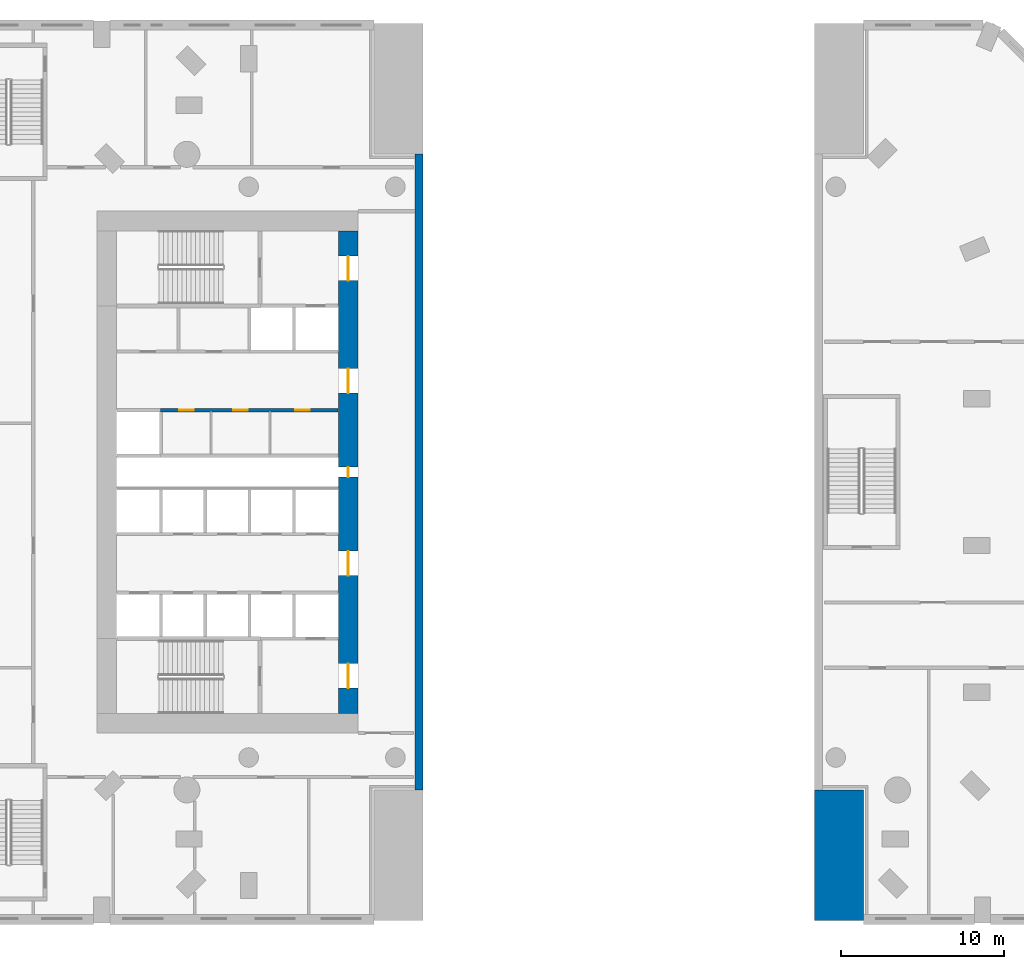
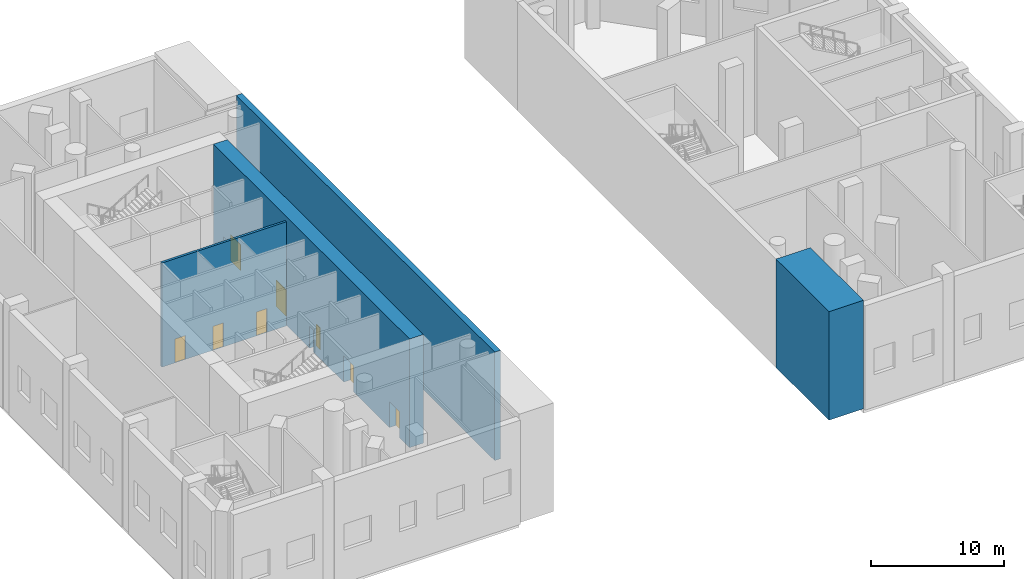
# One storey, part 4 of 17: 8 doors, 4 walls, 8 openings.
"""IFC4 building model written with IfcOpenShell, lengths in metres."""

from ifc_helpers import new_model, si_unit, direction, frame, frame_2d, origin, place, context, subcontext, project, spatial, rectangle, extrude, material, layer, layer_set, type_object, element, fill, save


model = new_model("IFC4")

# Units and contexts
model_context = context("Model", 3, precision=1e-05, world=origin(), true_north=direction((0.0, 1.0)))
body_context = subcontext(model_context, "Body", "Model", "MODEL_VIEW")
ifc_project = project(units=[si_unit("LENGTHUNIT", "METRE"), si_unit("AREAUNIT", "SQUARE_METRE"), si_unit("VOLUMEUNIT", "CUBIC_METRE"), si_unit("PLANEANGLEUNIT", "RADIAN"), si_unit("MASSUNIT", "GRAM", prefix="KILO")], contexts=[model_context])

# Site, building, storey
site_placement = place(None, origin())
site = spatial("IfcSite", under=ifc_project, at=site_placement, CompositionType="ELEMENT")
building_placement = place(site_placement, origin())
building = spatial("IfcBuilding", under=site, at=building_placement, Name="Cypress Arch Tower", CompositionType="ELEMENT")
storey_placement = place(building_placement, frame((0.0, 0.0, 19.0)))
storey = spatial("IfcBuildingStorey", under=building, at=storey_placement, Name="L02", CompositionType="ELEMENT", Elevation=19.0)

# Wall, openings, doors
ifc_material_1 = material(Name="Concrete C80/95", Category="concrete")
ifc_layer_1 = layer(ifc_material_1, 1.199951171875)
ifc_layer_set_1 = layer_set([ifc_layer_1], Name="Core wall CW1200 C80/95")
wall_type_1 = type_object("IfcWallType", Name="Core wall CW1200 C80/95", PredefinedType="SHEAR", material=ifc_layer_set_1)
wall_1_placement = place(storey_placement, frame((-14.60009765625, -14.800048828125, 0.0), z_axis=(0.0, 0.0, 1.0), x_axis=(0.0, 1.0, 0.0)))
wall_1 = element("IfcWall", 1, at=wall_1_placement, inside=storey, type_object=wall_type_1, Name="Core wall", PredefinedType="SHEAR", context=body_context, shape_type="SweptSolid", body=[
    extrude(rectangle(XDim=29.60009765625, YDim=1.199951171875, at=frame_2d((14.800048828125, 0.0))), origin(), (0.0, 0.0, 1.0), 10.0),
])
opening_1_placement = place(wall_1_placement, frame((1.550048828125, 0.0, 0.0)))
opening_1 = element("IfcOpeningElement", 2, at=opening_1_placement, cuts=wall_1, Name="Opening D07", PredefinedType="OPENING", context=body_context, shape_type="SweptSolid", body=[
    extrude(rectangle(XDim=1.5, YDim=2.39990234375, at=frame_2d((0.75, 1.199951171875))), frame((0.0, 0.60986328125, 0.0), z_axis=(0.0, -1.0, 0.0), x_axis=(1.0, 0.0, 0.0)), (0.0, 0.0, 1.0), 1.219970703125),
])
opening_2_placement = place(wall_1_placement, frame((26.550048828125, 0.0, 0.0)))
opening_2 = element("IfcOpeningElement", 3, at=opening_2_placement, cuts=wall_1, Name="Opening D07", PredefinedType="OPENING", context=body_context, shape_type="SweptSolid", body=[
    extrude(rectangle(XDim=1.5, YDim=2.39990234375, at=frame_2d((0.75, 1.199951171875))), frame((0.0, 0.60986328125, 0.0), z_axis=(0.0, -1.0, 0.0), x_axis=(1.0, 0.0, 0.0)), (0.0, 0.0, 1.0), 1.219970703125),
])
opening_3_placement = place(wall_1_placement, frame((8.449951171875, 0.0, 0.0)))
opening_3 = element("IfcOpeningElement", 4, at=opening_3_placement, cuts=wall_1, Name="Opening D07", PredefinedType="OPENING", context=body_context, shape_type="SweptSolid", body=[
    extrude(rectangle(XDim=1.5, YDim=2.39990234375, at=frame_2d((0.75, 1.199951171875))), frame((0.0, 0.60986328125, 0.0), z_axis=(0.0, -1.0, 0.0), x_axis=(1.0, 0.0, 0.0)), (0.0, 0.0, 1.0), 1.219970703125),
])
opening_4_placement = place(wall_1_placement, frame((19.64990234375, 0.0, 0.0)))
opening_4 = element("IfcOpeningElement", 5, at=opening_4_placement, cuts=wall_1, Name="Opening D07", PredefinedType="OPENING", context=body_context, shape_type="SweptSolid", body=[
    extrude(rectangle(XDim=1.5, YDim=2.39990234375, at=frame_2d((0.75, 1.199951171875))), frame((0.0, 0.60986328125, 0.0), z_axis=(0.0, -1.0, 0.0), x_axis=(1.0, 0.0, 0.0)), (0.0, 0.0, 1.0), 1.219970703125),
])
opening_5_placement = place(wall_1_placement, frame((14.5, 0.0, 0.0)))
opening_5 = element("IfcOpeningElement", 6, at=opening_5_placement, cuts=wall_1, Name="Opening D08", PredefinedType="OPENING", context=body_context, shape_type="SweptSolid", body=[
    extrude(rectangle(XDim=0.60009765625, YDim=2.0, at=frame_2d((0.300048828125, 1.0))), frame((0.0, 0.60986328125, 0.0), z_axis=(0.0, -1.0, 0.0), x_axis=(1.0, 0.0, 0.0)), (0.0, 0.0, 1.0), 1.219970703125),
])
ifc_material_2 = material(Name="Steel framed glazed door, fire resisting", Category="steel")
door_type_1 = type_object("IfcDoorType", Name="Lobby door D07 1500x2400", OperationType="DOUBLE_DOOR_SINGLE_SWING", PredefinedType="DOOR", material=ifc_material_2)
door_1_placement = place(opening_1_placement, origin())
door_1 = element("IfcDoor", 7, at=door_1_placement, inside=storey, type_object=door_type_1, Name="Lobby door", OperationType="DOUBLE_DOOR_SINGLE_SWING", OverallHeight=2.39990234375, OverallWidth=1.5, PredefinedType="DOOR", context=body_context, shape_type="SweptSolid", body=[
    extrude(rectangle(XDim=1.5, YDim=2.39990234375, at=frame_2d((0.75, 1.199951171875))), frame((0.0, 0.02490234375, 0.0), z_axis=(0.0, -1.0, 0.0), x_axis=(1.0, 0.0, 0.0)), (0.0, 0.0, 1.0), 0.050048828125),
])
fill(opening_1, door_1)
door_2_placement = place(opening_2_placement, origin())
door_2 = element("IfcDoor", 8, at=door_2_placement, inside=storey, type_object=door_type_1, Name="Lobby door", OperationType="DOUBLE_DOOR_SINGLE_SWING", OverallHeight=2.39990234375, OverallWidth=1.5, PredefinedType="DOOR", context=body_context, shape_type="SweptSolid", body=[
    extrude(rectangle(XDim=1.5, YDim=2.39990234375, at=frame_2d((0.75, 1.199951171875))), frame((0.0, 0.02490234375, 0.0), z_axis=(0.0, -1.0, 0.0), x_axis=(1.0, 0.0, 0.0)), (0.0, 0.0, 1.0), 0.050048828125),
])
fill(opening_2, door_2)
door_3_placement = place(opening_3_placement, origin())
door_3 = element("IfcDoor", 9, at=door_3_placement, inside=storey, type_object=door_type_1, Name="Lobby door", OperationType="DOUBLE_DOOR_SINGLE_SWING", OverallHeight=2.39990234375, OverallWidth=1.5, PredefinedType="DOOR", context=body_context, shape_type="SweptSolid", body=[
    extrude(rectangle(XDim=1.5, YDim=2.39990234375, at=frame_2d((0.75, 1.199951171875))), frame((0.0, 0.02490234375, 0.0), z_axis=(0.0, -1.0, 0.0), x_axis=(1.0, 0.0, 0.0)), (0.0, 0.0, 1.0), 0.050048828125),
])
fill(opening_3, door_3)
door_4_placement = place(opening_4_placement, origin())
door_4 = element("IfcDoor", 10, at=door_4_placement, inside=storey, type_object=door_type_1, Name="Lobby door", OperationType="DOUBLE_DOOR_SINGLE_SWING", OverallHeight=2.39990234375, OverallWidth=1.5, PredefinedType="DOOR", context=body_context, shape_type="SweptSolid", body=[
    extrude(rectangle(XDim=1.5, YDim=2.39990234375, at=frame_2d((0.75, 1.199951171875))), frame((0.0, 0.02490234375, 0.0), z_axis=(0.0, -1.0, 0.0), x_axis=(1.0, 0.0, 0.0)), (0.0, 0.0, 1.0), 0.050048828125),
])
fill(opening_4, door_4)
ifc_material_3 = material(Name="Steel access door, fire resisting", Category="steel")
door_type_2 = type_object("IfcDoorType", Name="Riser access door D08 600x2000", OperationType="SINGLE_SWING_LEFT", PredefinedType="DOOR", material=ifc_material_3)
door_5_placement = place(opening_5_placement, origin())
door_5 = element("IfcDoor", 11, at=door_5_placement, inside=storey, type_object=door_type_2, Name="Riser access door", OperationType="SINGLE_SWING_RIGHT", OverallHeight=2.0, OverallWidth=0.60009765625, PredefinedType="DOOR", context=body_context, shape_type="SweptSolid", body=[
    extrude(rectangle(XDim=0.60009765625, YDim=2.0, at=frame_2d((0.300048828125, 1.0))), frame((0.0, 0.02490234375, 0.0), z_axis=(0.0, -1.0, 0.0), x_axis=(1.0, 0.0, 0.0)), (0.0, 0.0, 1.0), 0.050048828125),
])
fill(opening_5, door_5)

ifc_material_4 = material(Name="Concrete blockwork, plastered, rated", Category="masonry")
ifc_layer_2 = layer(ifc_material_4, 0.199951171875)
ifc_layer_set_2 = layer_set([ifc_layer_2], Name="Corridor wall FW200")
wall_type_2 = type_object("IfcWallType", Name="Corridor wall FW200", PredefinedType="PARTITIONING", material=ifc_layer_set_2)
wall_2_placement = place(storey_placement, frame((-26.10009765625, 3.800048828125, 0.0), z_axis=(0.0, 0.0, 1.0), x_axis=(1.0, 0.0, 0.0)))
wall_2 = element("IfcWall", 12, at=wall_2_placement, inside=storey, type_object=wall_type_2, Name="Corridor wall", PredefinedType="PARTITIONING", context=body_context, shape_type="SweptSolid", body=[
    extrude(rectangle(XDim=10.8701171875, YDim=0.199951171875, at=frame_2d((5.43505859375, 0.0))), origin(), (0.0, 0.0, 1.0), 9.597900390625),
])
opening_6_placement = place(wall_2_placement, frame((1.14990234375, 0.0, 0.0)))
opening_6 = element("IfcOpeningElement", 13, at=opening_6_placement, cuts=wall_2, Name="Opening D05", PredefinedType="OPENING", context=body_context, shape_type="SweptSolid", body=[
    extrude(rectangle(XDim=0.89990234375, YDim=2.199951171875, at=frame_2d((0.449951171875, 1.10009765625))), frame((0.0, 0.10986328125, 0.0), z_axis=(0.0, -1.0, 0.0), x_axis=(1.0, 0.0, 0.0)), (0.0, 0.0, 1.0), 0.219970703125),
])
opening_7_placement = place(wall_2_placement, frame((4.449951171875, 0.0, 0.0)))
opening_7 = element("IfcOpeningElement", 14, at=opening_7_placement, cuts=wall_2, Name="Opening D05", PredefinedType="OPENING", context=body_context, shape_type="SweptSolid", body=[
    extrude(rectangle(XDim=0.89990234375, YDim=2.199951171875, at=frame_2d((0.449951171875, 1.10009765625))), frame((0.0, 0.10986328125, 0.0), z_axis=(0.0, -1.0, 0.0), x_axis=(1.0, 0.0, 0.0)), (0.0, 0.0, 1.0), 0.219970703125),
])
opening_8_placement = place(wall_2_placement, frame((8.25, 0.0, 0.0)))
opening_8 = element("IfcOpeningElement", 15, at=opening_8_placement, cuts=wall_2, Name="Opening D05", PredefinedType="OPENING", context=body_context, shape_type="SweptSolid", body=[
    extrude(rectangle(XDim=0.89990234375, YDim=2.199951171875, at=frame_2d((0.449951171875, 1.10009765625))), frame((0.0, 0.10986328125, 0.0), z_axis=(0.0, -1.0, 0.0), x_axis=(1.0, 0.0, 0.0)), (0.0, 0.0, 1.0), 0.219970703125),
])
ifc_material_5 = material(Name="Timber flush door", Category="wood")
door_type_3 = type_object("IfcDoorType", Name="Service door D05 900x2200", OperationType="SINGLE_SWING_LEFT", PredefinedType="DOOR", material=ifc_material_5)
door_6_placement = place(opening_6_placement, origin())
door_6 = element("IfcDoor", 16, at=door_6_placement, inside=storey, type_object=door_type_3, Name="Service door", OperationType="SINGLE_SWING_LEFT", OverallHeight=2.199951171875, OverallWidth=0.89990234375, PredefinedType="DOOR", context=body_context, shape_type="SweptSolid", body=[
    extrude(rectangle(XDim=0.89990234375, YDim=2.199951171875, at=frame_2d((0.449951171875, 1.10009765625))), frame((0.0, 0.02490234375, 0.0), z_axis=(0.0, -1.0, 0.0), x_axis=(1.0, 0.0, 0.0)), (0.0, 0.0, 1.0), 0.050048828125),
])
fill(opening_6, door_6)
door_7_placement = place(opening_7_placement, origin())
door_7 = element("IfcDoor", 17, at=door_7_placement, inside=storey, type_object=door_type_3, Name="Service door", OperationType="SINGLE_SWING_RIGHT", OverallHeight=2.199951171875, OverallWidth=0.89990234375, PredefinedType="DOOR", context=body_context, shape_type="SweptSolid", body=[
    extrude(rectangle(XDim=0.89990234375, YDim=2.199951171875, at=frame_2d((0.449951171875, 1.10009765625))), frame((0.0, 0.02490234375, 0.0), z_axis=(0.0, -1.0, 0.0), x_axis=(1.0, 0.0, 0.0)), (0.0, 0.0, 1.0), 0.050048828125),
])
fill(opening_7, door_7)
door_8_placement = place(opening_8_placement, origin())
door_8 = element("IfcDoor", 18, at=door_8_placement, inside=storey, type_object=door_type_3, Name="Service door", OperationType="SINGLE_SWING_RIGHT", OverallHeight=2.199951171875, OverallWidth=0.89990234375, PredefinedType="DOOR", context=body_context, shape_type="SweptSolid", body=[
    extrude(rectangle(XDim=0.89990234375, YDim=2.199951171875, at=frame_2d((0.449951171875, 1.10009765625))), frame((0.0, 0.02490234375, 0.0), z_axis=(0.0, -1.0, 0.0), x_axis=(1.0, 0.0, 0.0)), (0.0, 0.0, 1.0), 0.050048828125),
])
fill(opening_8, door_8)

# Walls
ifc_material_6 = material(Name="Concrete C60/75", Category="concrete")
ifc_layer_3 = layer(ifc_material_6, 0.5)
ifc_layer_set_3 = layer_set([ifc_layer_3], Name="Passage wall 500 Concrete C60/75")
wall_type_3 = type_object("IfcWallType", Name="Passage wall 500 Concrete C60/75", PredefinedType="SOLIDWALL", material=ifc_layer_set_3)
wall_3_placement = place(storey_placement, frame((-10.25, -19.5, 0.0), z_axis=(0.0, 0.0, 1.0), x_axis=(0.0, 1.0, 0.0)))
element("IfcWall", 19, at=wall_3_placement, inside=storey, type_object=wall_type_3, Name="Gate passage wall W L02", PredefinedType="SOLIDWALL", context=body_context, shape_type="SweptSolid", body=[
    extrude(rectangle(XDim=39.0, YDim=0.5, at=frame_2d((19.5, 0.0))), origin(), (0.0, 0.0, 1.0), 10.0),
])
ifc_material_7 = material(Name="Concrete C80/95", Category="concrete")
ifc_layer_4 = layer(ifc_material_7, 3.0)
ifc_layer_set_4 = layer_set([ifc_layer_4], Name="Pier wall 3000 Concrete C80/95")
wall_type_4 = type_object("IfcWallType", Name="Pier wall 3000 Concrete C80/95", PredefinedType="SOLIDWALL", material=ifc_layer_set_4)
wall_4_placement = place(storey_placement, frame((15.5, -27.5, 0.0), z_axis=(0.0, 0.0, 1.0), x_axis=(0.0, 1.0, 0.0)))
element("IfcWall", 20, at=wall_4_placement, inside=storey, type_object=wall_type_4, Name="Gate pier wall PW-ES L02", PredefinedType="SOLIDWALL", context=body_context, shape_type="SweptSolid", body=[
    extrude(rectangle(XDim=8.0, YDim=3.0, at=frame_2d((4.0, 0.0))), origin(), (0.0, 0.0, 1.0), 10.0),
])

save(model, "model.ifc")
